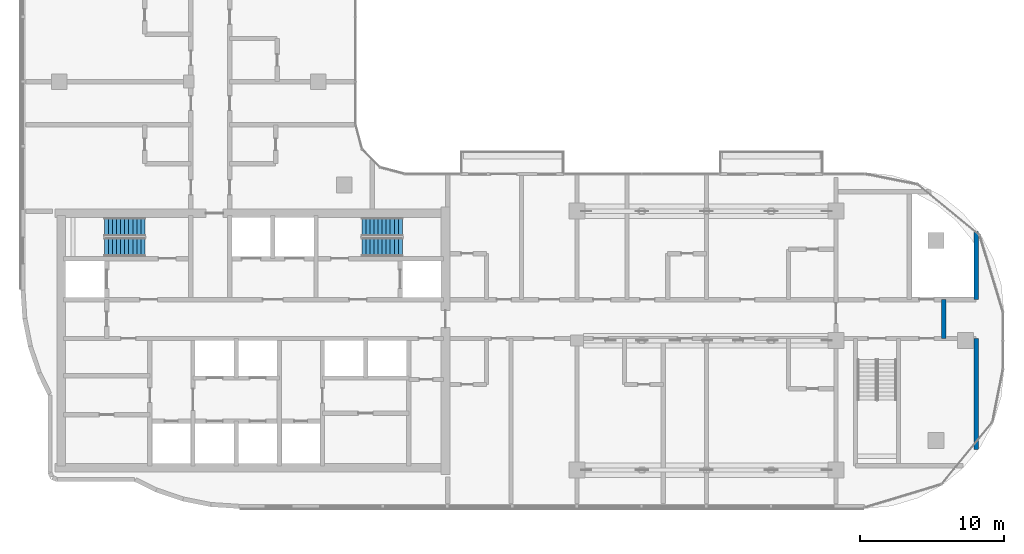
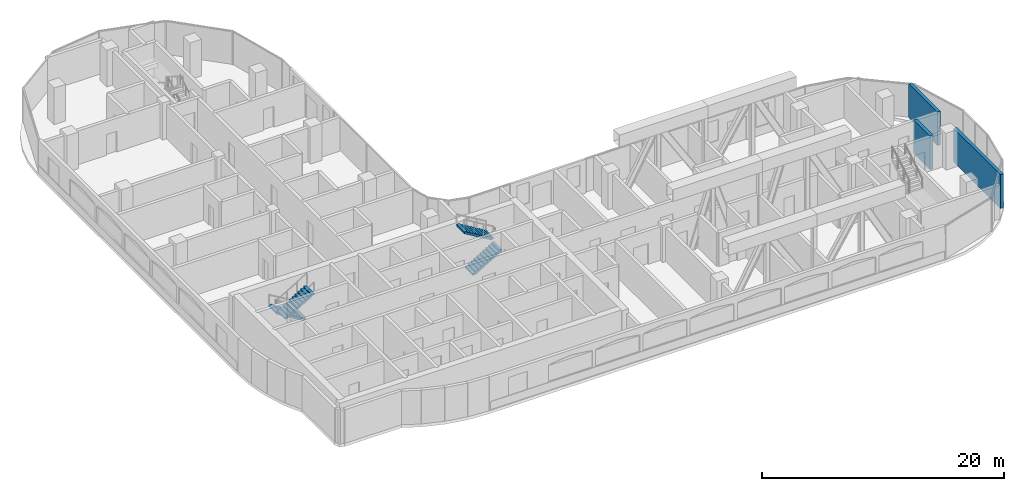
# One storey, part 14 of 25: 4 stair flights, 3 walls, 2 elements without a shape of their own.
"""IFC4 building model written with IfcOpenShell, lengths in metres."""

from ifc_helpers import new_model, si_unit, direction, frame, frame_2d, origin, place, context, subcontext, project, spatial, rectangle, extrude, triangles, source, transform, mapped, material, layer, layer_set, type_object, element, aggregate, save


model = new_model("IFC4")

# Units and contexts
model_context = context("Model", 3, precision=1e-05, world=origin(), true_north=direction((0.0, 1.0)))
body_context = subcontext(model_context, "Body", "Model", "MODEL_VIEW")
ifc_project = project(units=[si_unit("LENGTHUNIT", "METRE"), si_unit("AREAUNIT", "SQUARE_METRE"), si_unit("VOLUMEUNIT", "CUBIC_METRE"), si_unit("PLANEANGLEUNIT", "RADIAN"), si_unit("MASSUNIT", "GRAM", prefix="KILO")], contexts=[model_context])

# Site, building, storey
site_placement = place(None, origin())
site = spatial("IfcSite", under=ifc_project, at=site_placement, CompositionType="ELEMENT")
building_placement = place(site_placement, origin())
building = spatial("IfcBuilding", under=site, at=building_placement, Name="Ogive Portal Towers", CompositionType="ELEMENT")
storey_placement = place(building_placement, frame((0.0, 0.0, 182.89990234375)))
storey = spatial("IfcBuildingStorey", under=building, at=storey_placement, Name="L45", CompositionType="ELEMENT", Elevation=182.89990234375)

# Walls
ifc_material_1 = material(Name="Gypsum board partition on steel studs", Category="steel")
ifc_layer_1 = layer(ifc_material_1, 0.300048828125)
ifc_layer_set_1 = layer_set([ifc_layer_1], Name="WT-PART-300-EI 120")
wall_type_1 = type_object("IfcWallType", Name="WT-PART-300-EI 120", PredefinedType="PARTITIONING", material=ifc_layer_set_1)
wall_1_placement = place(storey_placement, frame((93.0, 30.64990234375, 0.0), z_axis=(0.0, 0.0, 1.0), x_axis=(0.0, 1.0, 0.0)))
element("IfcWall", 1, at=wall_1_placement, inside=storey, type_object=wall_type_1, Name="Wall L45:w066", PredefinedType="PARTITIONING", context=body_context, shape_type="SweptSolid", body=[
    extrude(rectangle(XDim=2.7001953125, YDim=0.300048828125, at=frame_2d((1.35009765625, 0.0))), origin(), (0.0, 0.0, 1.0), 3.400146484375),
])
ifc_layer_2 = layer(ifc_material_1, 0.300048828125)
ifc_layer_set_2 = layer_set([ifc_layer_2], Name="WT-PART-300-EI 60")
wall_type_2 = type_object("IfcWallType", Name="WT-PART-300-EI 60", PredefinedType="PARTITIONING", material=ifc_layer_set_2)
wall_2_placement = place(storey_placement, frame((95.25, 22.926025390625, 0.0), z_axis=(0.0, 0.0, 1.0), x_axis=(0.0, 1.0, 0.0)))
element("IfcWall", 2, at=wall_2_placement, inside=storey, type_object=wall_type_2, Name="Wall L45:w067", PredefinedType="PARTITIONING", context=body_context, shape_type="SweptSolid", body=[
    extrude(rectangle(XDim=7.723876953125, YDim=0.300048828125, at=frame_2d((3.86181640625, 0.0))), origin(), (0.0, 0.0, 1.0), 3.400146484375),
])
wall_3_placement = place(storey_placement, frame((95.25, 33.35009765625, 0.0), z_axis=(0.0, 0.0, 1.0), x_axis=(0.0, 1.0, 0.0)))
element("IfcWall", 3, at=wall_3_placement, inside=storey, type_object=wall_type_2, Name="Wall L45:w068", PredefinedType="PARTITIONING", context=body_context, shape_type="SweptSolid", body=[
    extrude(rectangle(XDim=4.723876953125, YDim=0.300048828125, at=frame_2d((2.36181640625, 0.0))), origin(), (0.0, 0.0, 1.0), 3.400146484375),
])

# Stair, stair flights
ifc_material_2 = material(Name="Concrete C40/50", Category="concrete")
stair_type = type_object("IfcStairType", Name="INT-STAIR", PredefinedType="HALF_TURN_STAIR", material=ifc_material_2)
stair_1_placement = place(storey_placement, origin())
stair_1 = element("IfcStair", 4, at=stair_1_placement, inside=storey, type_object=stair_type, Name="L45 Exit Stair ST-A1", PredefinedType="HALF_TURN_STAIR")
stair_flight_type = type_object("IfcStairFlightType", Name="INT-FLIGHT", PredefinedType="STRAIGHT", material=ifc_material_2)
shared_shape = source(origin(), body_context, "Body", "Tessellation", [
    triangles([(0.0, -0.650146484375, 0.0), (0.0, -0.376220703125, 0.0), (0.0, -0.192626953125, 0.0), (0.0, -0.081298828125, 0.0), (0.0, -0.024169921875, 0.0), (0.0, -0.003173828125, 0.0), (0.0, 0.0, 0.0), (0.0, 0.0029296875, 0.0), (0.0, 0.02392578125, 0.0), (0.0, 0.0810546875, 0.0), (0.0, 0.1923828125, 0.0), (0.0, 0.3759765625, 0.0), (0.0, 0.64990234375, 0.0), (0.0, -0.650146484375, 0.168212890625), (0.0, -0.376220703125, 0.168212890625), (0.0, -0.192626953125, 0.168212890625), (0.0, -0.081298828125, 0.168212890625), (0.0, -0.024169921875, 0.168212890625), (0.0, -0.003173828125, 0.168212890625), (0.0, 0.0, 0.168212890625), (0.0, 0.0029296875, 0.168212890625), (0.0, 0.02392578125, 0.168212890625), (0.0, 0.0810546875, 0.168212890625), (0.0, 0.1923828125, 0.168212890625), (0.0, 0.3759765625, 0.168212890625), (0.0, 0.64990234375, 0.168212890625), (0.280029296875, -0.650146484375, 0.168212890625), (0.280029296875, -0.376220703125, 0.168212890625), (0.280029296875, -0.192626953125, 0.168212890625), (0.280029296875, -0.081298828125, 0.168212890625), (0.280029296875, -0.024169921875, 0.168212890625), (0.280029296875, -0.003173828125, 0.168212890625), (0.280029296875, 0.0, 0.168212890625), (0.280029296875, 0.0029296875, 0.168212890625), (0.280029296875, 0.02392578125, 0.168212890625), (0.280029296875, 0.0810546875, 0.168212890625), (0.280029296875, 0.1923828125, 0.168212890625), (0.280029296875, 0.3759765625, 0.168212890625), (0.280029296875, 0.64990234375, 0.168212890625), (0.280029296875, -0.650146484375, 0.33642578125), (0.280029296875, -0.376220703125, 0.33642578125), (0.280029296875, -0.192626953125, 0.33642578125), (0.280029296875, -0.081298828125, 0.33642578125), (0.280029296875, -0.024169921875, 0.33642578125), (0.280029296875, -0.003173828125, 0.33642578125), (0.280029296875, 0.0, 0.33642578125), (0.280029296875, 0.0029296875, 0.33642578125), (0.280029296875, 0.02392578125, 0.33642578125), (0.280029296875, 0.0810546875, 0.33642578125), (0.280029296875, 0.1923828125, 0.33642578125), (0.280029296875, 0.3759765625, 0.33642578125), (0.280029296875, 0.64990234375, 0.33642578125), (0.56005859375, -0.650146484375, 0.33642578125), (0.56005859375, -0.376220703125, 0.33642578125), (0.56005859375, -0.192626953125, 0.33642578125), (0.56005859375, -0.081298828125, 0.33642578125), (0.56005859375, -0.024169921875, 0.33642578125), (0.56005859375, -0.003173828125, 0.33642578125), (0.56005859375, 0.0, 0.33642578125), (0.56005859375, 0.0029296875, 0.33642578125), (0.56005859375, 0.02392578125, 0.33642578125), (0.56005859375, 0.0810546875, 0.33642578125), (0.56005859375, 0.1923828125, 0.33642578125), (0.56005859375, 0.3759765625, 0.33642578125), (0.56005859375, 0.64990234375, 0.33642578125), (0.56005859375, -0.650146484375, 0.504638671875), (0.56005859375, -0.376220703125, 0.504638671875), (0.56005859375, -0.192626953125, 0.504638671875), (0.56005859375, -0.081298828125, 0.504638671875), (0.56005859375, -0.024169921875, 0.504638671875), (0.56005859375, -0.003173828125, 0.504638671875), (0.56005859375, 0.0, 0.504638671875), (0.56005859375, 0.0029296875, 0.504638671875), (0.56005859375, 0.02392578125, 0.504638671875), (0.56005859375, 0.0810546875, 0.504638671875), (0.56005859375, 0.1923828125, 0.504638671875), (0.56005859375, 0.3759765625, 0.504638671875), (0.56005859375, 0.64990234375, 0.504638671875), (0.840087890625, -0.650146484375, 0.504638671875), (0.840087890625, -0.376220703125, 0.504638671875), (0.840087890625, -0.192626953125, 0.504638671875), (0.840087890625, -0.081298828125, 0.504638671875), (0.840087890625, -0.024169921875, 0.504638671875), (0.840087890625, -0.003173828125, 0.504638671875), (0.840087890625, 0.0, 0.504638671875), (0.840087890625, 0.0029296875, 0.504638671875), (0.840087890625, 0.02392578125, 0.504638671875), (0.840087890625, 0.0810546875, 0.504638671875), (0.840087890625, 0.1923828125, 0.504638671875), (0.840087890625, 0.3759765625, 0.504638671875), (0.840087890625, 0.64990234375, 0.504638671875), (0.840087890625, -0.650146484375, 0.672607421875), (0.840087890625, -0.376220703125, 0.672607421875), (0.840087890625, -0.192626953125, 0.672607421875), (0.840087890625, -0.081298828125, 0.672607421875), (0.840087890625, -0.024169921875, 0.672607421875), (0.840087890625, -0.003173828125, 0.672607421875), (0.840087890625, 0.0, 0.672607421875), (0.840087890625, 0.0029296875, 0.672607421875), (0.840087890625, 0.02392578125, 0.672607421875), (0.840087890625, 0.0810546875, 0.672607421875), (0.840087890625, 0.1923828125, 0.672607421875), (0.840087890625, 0.3759765625, 0.672607421875), (0.840087890625, 0.64990234375, 0.672607421875), (1.1201171875, -0.650146484375, 0.672607421875), (1.1201171875, -0.376220703125, 0.672607421875), (1.1201171875, -0.192626953125, 0.672607421875), (1.1201171875, -0.081298828125, 0.672607421875), (1.1201171875, -0.024169921875, 0.672607421875), (1.1201171875, -0.003173828125, 0.672607421875), (1.1201171875, 0.0, 0.672607421875), (1.1201171875, 0.0029296875, 0.672607421875), (1.1201171875, 0.02392578125, 0.672607421875), (1.1201171875, 0.0810546875, 0.672607421875), (1.1201171875, 0.1923828125, 0.672607421875), (1.1201171875, 0.3759765625, 0.672607421875), (1.1201171875, 0.64990234375, 0.672607421875), (1.1201171875, -0.650146484375, 0.8408203125), (1.1201171875, -0.376220703125, 0.8408203125), (1.1201171875, -0.192626953125, 0.8408203125), (1.1201171875, -0.081298828125, 0.8408203125), (1.1201171875, -0.024169921875, 0.8408203125), (1.1201171875, -0.003173828125, 0.8408203125), (1.1201171875, 0.0, 0.8408203125), (1.1201171875, 0.0029296875, 0.8408203125), (1.1201171875, 0.02392578125, 0.8408203125), (1.1201171875, 0.0810546875, 0.8408203125), (1.1201171875, 0.1923828125, 0.8408203125), (1.1201171875, 0.3759765625, 0.8408203125), (1.1201171875, 0.64990234375, 0.8408203125), (1.39990234375, -0.650146484375, 0.8408203125), (1.39990234375, -0.376220703125, 0.8408203125), (1.39990234375, -0.192626953125, 0.8408203125), (1.39990234375, -0.081298828125, 0.8408203125), (1.39990234375, -0.024169921875, 0.8408203125), (1.39990234375, -0.003173828125, 0.8408203125), (1.39990234375, 0.0, 0.8408203125), (1.39990234375, 0.0029296875, 0.8408203125), (1.39990234375, 0.02392578125, 0.8408203125), (1.39990234375, 0.0810546875, 0.8408203125), (1.39990234375, 0.1923828125, 0.8408203125), (1.39990234375, 0.3759765625, 0.8408203125), (1.39990234375, 0.64990234375, 0.8408203125), (1.39990234375, -0.650146484375, 1.009033203125), (1.39990234375, -0.376220703125, 1.009033203125), (1.39990234375, -0.192626953125, 1.009033203125), (1.39990234375, -0.081298828125, 1.009033203125), (1.39990234375, -0.024169921875, 1.009033203125), (1.39990234375, -0.003173828125, 1.009033203125), (1.39990234375, 0.0, 1.009033203125), (1.39990234375, 0.0029296875, 1.009033203125), (1.39990234375, 0.02392578125, 1.009033203125), (1.39990234375, 0.0810546875, 1.009033203125), (1.39990234375, 0.1923828125, 1.009033203125), (1.39990234375, 0.3759765625, 1.009033203125), (1.39990234375, 0.64990234375, 1.009033203125), (1.679931640625, -0.650146484375, 1.009033203125), (1.679931640625, -0.376220703125, 1.009033203125), (1.679931640625, -0.192626953125, 1.009033203125), (1.679931640625, -0.081298828125, 1.009033203125), (1.679931640625, -0.024169921875, 1.009033203125), (1.679931640625, -0.003173828125, 1.009033203125), (1.679931640625, 0.0, 1.009033203125), (1.679931640625, 0.0029296875, 1.009033203125), (1.679931640625, 0.02392578125, 1.009033203125), (1.679931640625, 0.0810546875, 1.009033203125), (1.679931640625, 0.1923828125, 1.009033203125), (1.679931640625, 0.3759765625, 1.009033203125), (1.679931640625, 0.64990234375, 1.009033203125), (1.679931640625, -0.650146484375, 1.17724609375), (1.679931640625, -0.376220703125, 1.17724609375), (1.679931640625, -0.192626953125, 1.17724609375), (1.679931640625, -0.081298828125, 1.17724609375), (1.679931640625, -0.024169921875, 1.17724609375), (1.679931640625, -0.003173828125, 1.17724609375), (1.679931640625, 0.0, 1.17724609375), (1.679931640625, 0.0029296875, 1.17724609375), (1.679931640625, 0.02392578125, 1.17724609375), (1.679931640625, 0.0810546875, 1.17724609375), (1.679931640625, 0.1923828125, 1.17724609375), (1.679931640625, 0.3759765625, 1.17724609375), (1.679931640625, 0.64990234375, 1.17724609375), (1.9599609375, -0.650146484375, 1.17724609375), (1.9599609375, -0.376220703125, 1.17724609375), (1.9599609375, -0.192626953125, 1.17724609375), (1.9599609375, -0.081298828125, 1.17724609375), (1.9599609375, -0.024169921875, 1.17724609375), (1.9599609375, -0.003173828125, 1.17724609375), (1.9599609375, 0.0, 1.17724609375), (1.9599609375, 0.0029296875, 1.17724609375), (1.9599609375, 0.02392578125, 1.17724609375), (1.9599609375, 0.0810546875, 1.17724609375), (1.9599609375, 0.1923828125, 1.17724609375), (1.9599609375, 0.3759765625, 1.17724609375), (1.9599609375, 0.64990234375, 1.17724609375), (1.9599609375, -0.650146484375, 1.345458984375), (1.9599609375, -0.376220703125, 1.345458984375), (1.9599609375, -0.192626953125, 1.345458984375), (1.9599609375, -0.081298828125, 1.345458984375), (1.9599609375, -0.024169921875, 1.345458984375), (1.9599609375, -0.003173828125, 1.345458984375), (1.9599609375, 0.0, 1.345458984375), (1.9599609375, 0.0029296875, 1.345458984375), (1.9599609375, 0.02392578125, 1.345458984375), (1.9599609375, 0.0810546875, 1.345458984375), (1.9599609375, 0.1923828125, 1.345458984375), (1.9599609375, 0.3759765625, 1.345458984375), (1.9599609375, 0.64990234375, 1.345458984375), (2.239990234375, -0.650146484375, 1.345458984375), (2.239990234375, -0.376220703125, 1.345458984375), (2.239990234375, -0.192626953125, 1.345458984375), (2.239990234375, -0.081298828125, 1.345458984375), (2.239990234375, -0.024169921875, 1.345458984375), (2.239990234375, -0.003173828125, 1.345458984375), (2.239990234375, 0.0, 1.345458984375), (2.239990234375, 0.0029296875, 1.345458984375), (2.239990234375, 0.02392578125, 1.345458984375), (2.239990234375, 0.0810546875, 1.345458984375), (2.239990234375, 0.1923828125, 1.345458984375), (2.239990234375, 0.3759765625, 1.345458984375), (2.239990234375, 0.64990234375, 1.345458984375), (2.239990234375, -0.650146484375, 1.513671875), (2.239990234375, -0.376220703125, 1.513671875), (2.239990234375, -0.192626953125, 1.513671875), (2.239990234375, -0.081298828125, 1.513671875), (2.239990234375, -0.024169921875, 1.513671875), (2.239990234375, -0.003173828125, 1.513671875), (2.239990234375, 0.0, 1.513671875), (2.239990234375, 0.0029296875, 1.513671875), (2.239990234375, 0.02392578125, 1.513671875), (2.239990234375, 0.0810546875, 1.513671875), (2.239990234375, 0.1923828125, 1.513671875), (2.239990234375, 0.3759765625, 1.513671875), (2.239990234375, 0.64990234375, 1.513671875), (2.52001953125, -0.650146484375, 1.513671875), (2.52001953125, -0.376220703125, 1.513671875), (2.52001953125, -0.192626953125, 1.513671875), (2.52001953125, -0.081298828125, 1.513671875), (2.52001953125, -0.024169921875, 1.513671875), (2.52001953125, -0.003173828125, 1.513671875), (2.52001953125, 0.0, 1.513671875), (2.52001953125, 0.0029296875, 1.513671875), (2.52001953125, 0.02392578125, 1.513671875), (2.52001953125, 0.0810546875, 1.513671875), (2.52001953125, 0.1923828125, 1.513671875), (2.52001953125, 0.3759765625, 1.513671875), (2.52001953125, 0.64990234375, 1.513671875), (2.52001953125, -0.650146484375, 1.681884765625), (2.52001953125, -0.376220703125, 1.681884765625), (2.52001953125, -0.192626953125, 1.681884765625), (2.52001953125, -0.081298828125, 1.681884765625), (2.52001953125, -0.024169921875, 1.681884765625), (2.52001953125, -0.003173828125, 1.681884765625), (2.52001953125, 0.0, 1.681884765625), (2.52001953125, 0.0029296875, 1.681884765625), (2.52001953125, 0.02392578125, 1.681884765625), (2.52001953125, 0.0810546875, 1.681884765625), (2.52001953125, 0.1923828125, 1.681884765625), (2.52001953125, 0.3759765625, 1.681884765625), (2.52001953125, 0.64990234375, 1.681884765625), (2.800048828125, -0.650146484375, 1.681884765625), (2.800048828125, -0.376220703125, 1.681884765625), (2.800048828125, -0.192626953125, 1.681884765625), (2.800048828125, -0.081298828125, 1.681884765625), (2.800048828125, -0.024169921875, 1.681884765625), (2.800048828125, -0.003173828125, 1.681884765625), (2.800048828125, 0.0, 1.681884765625), (2.800048828125, 0.0029296875, 1.681884765625), (2.800048828125, 0.02392578125, 1.681884765625), (2.800048828125, 0.0810546875, 1.681884765625), (2.800048828125, 0.1923828125, 1.681884765625), (2.800048828125, 0.3759765625, 1.681884765625), (2.800048828125, 0.64990234375, 1.681884765625), (2.800048828125, -0.650146484375, 1.5068359375), (2.800048828125, -0.376220703125, 1.5068359375), (2.800048828125, -0.192626953125, 1.5068359375), (2.800048828125, -0.081298828125, 1.5068359375), (2.800048828125, -0.024169921875, 1.5068359375), (2.800048828125, -0.003173828125, 1.5068359375), (2.800048828125, 0.0, 1.5068359375), (2.800048828125, 0.0029296875, 1.5068359375), (2.800048828125, 0.02392578125, 1.5068359375), (2.800048828125, 0.0810546875, 1.5068359375), (2.800048828125, 0.1923828125, 1.5068359375), (2.800048828125, 0.3759765625, 1.5068359375), (2.800048828125, 0.64990234375, 1.5068359375), (0.291015625, -0.650146484375, 0.0), (0.291015625, -0.376220703125, 0.0), (0.291015625, -0.192626953125, 0.0), (0.291015625, -0.081298828125, 0.0), (0.291015625, -0.024169921875, 0.0), (0.291015625, -0.003173828125, 0.0), (0.291015625, 0.0, 0.0), (0.291015625, 0.0029296875, 0.0), (0.291015625, 0.02392578125, 0.0), (0.291015625, 0.0810546875, 0.0), (0.291015625, 0.1923828125, 0.0), (0.291015625, 0.3759765625, 0.0), (0.291015625, 0.64990234375, 0.0)], [[1, 14, 15], [1, 15, 2], [2, 15, 16], [2, 16, 3], [3, 16, 17], [3, 17, 4], [4, 17, 18], [4, 18, 5], [5, 18, 19], [5, 19, 6], [6, 19, 20], [6, 20, 7], [7, 20, 21], [7, 21, 8], [8, 21, 22], [8, 22, 9], [9, 22, 23], [9, 23, 10], [10, 23, 24], [10, 24, 11], [11, 24, 25], [11, 25, 12], [12, 25, 26], [12, 26, 13], [14, 27, 28], [14, 28, 15], [15, 28, 29], [15, 29, 16], [16, 29, 30], [16, 30, 17], [17, 30, 31], [17, 31, 18], [18, 31, 32], [18, 32, 19], [19, 32, 33], [19, 33, 20], [20, 33, 34], [20, 34, 21], [21, 34, 35], [21, 35, 22], [22, 35, 36], [22, 36, 23], [23, 36, 37], [23, 37, 24], [24, 37, 38], [24, 38, 25], [25, 38, 39], [25, 39, 26], [27, 40, 41], [27, 41, 28], [28, 41, 42], [28, 42, 29], [29, 42, 43], [29, 43, 30], [30, 43, 44], [30, 44, 31], [31, 44, 45], [31, 45, 32], [32, 45, 46], [32, 46, 33], [33, 46, 47], [33, 47, 34], [34, 47, 48], [34, 48, 35], [35, 48, 49], [35, 49, 36], [36, 49, 50], [36, 50, 37], [37, 50, 51], [37, 51, 38], [38, 51, 52], [38, 52, 39], [40, 53, 54], [40, 54, 41], [41, 54, 55], [41, 55, 42], [42, 55, 56], [42, 56, 43], [43, 56, 57], [43, 57, 44], [44, 57, 58], [44, 58, 45], [45, 58, 59], [45, 59, 46], [46, 59, 60], [46, 60, 47], [47, 60, 61], [47, 61, 48], [48, 61, 62], [48, 62, 49], [49, 62, 63], [49, 63, 50], [50, 63, 64], [50, 64, 51], [51, 64, 65], [51, 65, 52], [53, 66, 67], [53, 67, 54], [54, 67, 68], [54, 68, 55], [55, 68, 69], [55, 69, 56], [56, 69, 70], [56, 70, 57], [57, 70, 71], [57, 71, 58], [58, 71, 72], [58, 72, 59], [59, 72, 73], [59, 73, 60], [60, 73, 74], [60, 74, 61], [61, 74, 75], [61, 75, 62], [62, 75, 76], [62, 76, 63], [63, 76, 77], [63, 77, 64], [64, 77, 78], [64, 78, 65], [66, 79, 80], [66, 80, 67], [67, 80, 81], [67, 81, 68], [68, 81, 82], [68, 82, 69], [69, 82, 83], [69, 83, 70], [70, 83, 84], [70, 84, 71], [71, 84, 85], [71, 85, 72], [72, 85, 86], [72, 86, 73], [73, 86, 87], [73, 87, 74], [74, 87, 88], [74, 88, 75], [75, 88, 89], [75, 89, 76], [76, 89, 90], [76, 90, 77], [77, 90, 91], [77, 91, 78], [79, 92, 93], [79, 93, 80], [80, 93, 94], [80, 94, 81], [81, 94, 95], [81, 95, 82], [82, 95, 96], [82, 96, 83], [83, 96, 97], [83, 97, 84], [84, 97, 98], [84, 98, 85], [85, 98, 99], [85, 99, 86], [86, 99, 100], [86, 100, 87], [87, 100, 101], [87, 101, 88], [88, 101, 102], [88, 102, 89], [89, 102, 103], [89, 103, 90], [90, 103, 104], [90, 104, 91], [92, 105, 106], [92, 106, 93], [93, 106, 107], [93, 107, 94], [94, 107, 108], [94, 108, 95], [95, 108, 109], [95, 109, 96], [96, 109, 110], [96, 110, 97], [97, 110, 111], [97, 111, 98], [98, 111, 112], [98, 112, 99], [99, 112, 113], [99, 113, 100], [100, 113, 114], [100, 114, 101], [101, 114, 115], [101, 115, 102], [102, 115, 116], [102, 116, 103], [103, 116, 117], [103, 117, 104], [105, 118, 119], [105, 119, 106], [106, 119, 120], [106, 120, 107], [107, 120, 121], [107, 121, 108], [108, 121, 122], [108, 122, 109], [109, 122, 123], [109, 123, 110], [110, 123, 124], [110, 124, 111], [111, 124, 125], [111, 125, 112], [112, 125, 126], [112, 126, 113], [113, 126, 127], [113, 127, 114], [114, 127, 128], [114, 128, 115], [115, 128, 129], [115, 129, 116], [116, 129, 130], [116, 130, 117], [118, 131, 132], [118, 132, 119], [119, 132, 133], [119, 133, 120], [120, 133, 134], [120, 134, 121], [121, 134, 135], [121, 135, 122], [122, 135, 136], [122, 136, 123], [123, 136, 137], [123, 137, 124], [124, 137, 138], [124, 138, 125], [125, 138, 139], [125, 139, 126], [126, 139, 140], [126, 140, 127], [127, 140, 141], [127, 141, 128], [128, 141, 142], [128, 142, 129], [129, 142, 143], [129, 143, 130], [131, 144, 145], [131, 145, 132], [132, 145, 146], [132, 146, 133], [133, 146, 147], [133, 147, 134], [134, 147, 148], [134, 148, 135], [135, 148, 149], [135, 149, 136], [136, 149, 150], [136, 150, 137], [137, 150, 151], [137, 151, 138], [138, 151, 152], [138, 152, 139], [139, 152, 153], [139, 153, 140], [140, 153, 154], [140, 154, 141], [141, 154, 155], [141, 155, 142], [142, 155, 156], [142, 156, 143], [144, 157, 158], [144, 158, 145], [145, 158, 159], [145, 159, 146], [146, 159, 160], [146, 160, 147], [147, 160, 161], [147, 161, 148], [148, 161, 162], [148, 162, 149], [149, 162, 163], [149, 163, 150], [150, 163, 164], [150, 164, 151], [151, 164, 165], [151, 165, 152], [152, 165, 166], [152, 166, 153], [153, 166, 167], [153, 167, 154], [154, 167, 168], [154, 168, 155], [155, 168, 169], [155, 169, 156], [157, 170, 171], [157, 171, 158], [158, 171, 172], [158, 172, 159], [159, 172, 173], [159, 173, 160], [160, 173, 174], [160, 174, 161], [161, 174, 175], [161, 175, 162], [162, 175, 176], [162, 176, 163], [163, 176, 177], [163, 177, 164], [164, 177, 178], [164, 178, 165], [165, 178, 179], [165, 179, 166], [166, 179, 180], [166, 180, 167], [167, 180, 181], [167, 181, 168], [168, 181, 182], [168, 182, 169], [170, 183, 184], [170, 184, 171], [171, 184, 185], [171, 185, 172], [172, 185, 186], [172, 186, 173], [173, 186, 187], [173, 187, 174], [174, 187, 188], [174, 188, 175], [175, 188, 189], [175, 189, 176], [176, 189, 190], [176, 190, 177], [177, 190, 191], [177, 191, 178], [178, 191, 192], [178, 192, 179], [179, 192, 193], [179, 193, 180], [180, 193, 194], [180, 194, 181], [181, 194, 195], [181, 195, 182], [183, 196, 197], [183, 197, 184], [184, 197, 198], [184, 198, 185], [185, 198, 199], [185, 199, 186], [186, 199, 200], [186, 200, 187], [187, 200, 201], [187, 201, 188], [188, 201, 202], [188, 202, 189], [189, 202, 203], [189, 203, 190], [190, 203, 204], [190, 204, 191], [191, 204, 205], [191, 205, 192], [192, 205, 206], [192, 206, 193], [193, 206, 207], [193, 207, 194], [194, 207, 208], [194, 208, 195], [196, 209, 210], [196, 210, 197], [197, 210, 211], [197, 211, 198], [198, 211, 212], [198, 212, 199], [199, 212, 213], [199, 213, 200], [200, 213, 214], [200, 214, 201], [201, 214, 215], [201, 215, 202], [202, 215, 216], [202, 216, 203], [203, 216, 217], [203, 217, 204], [204, 217, 218], [204, 218, 205], [205, 218, 219], [205, 219, 206], [206, 219, 220], [206, 220, 207], [207, 220, 221], [207, 221, 208], [209, 222, 223], [209, 223, 210], [210, 223, 224], [210, 224, 211], [211, 224, 225], [211, 225, 212], [212, 225, 226], [212, 226, 213], [213, 226, 227], [213, 227, 214], [214, 227, 228], [214, 228, 215], [215, 228, 229], [215, 229, 216], [216, 229, 230], [216, 230, 217], [217, 230, 231], [217, 231, 218], [218, 231, 232], [218, 232, 219], [219, 232, 233], [219, 233, 220], [220, 233, 234], [220, 234, 221], [222, 235, 236], [222, 236, 223], [223, 236, 237], [223, 237, 224], [224, 237, 238], [224, 238, 225], [225, 238, 239], [225, 239, 226], [226, 239, 240], [226, 240, 227], [227, 240, 241], [227, 241, 228], [228, 241, 242], [228, 242, 229], [229, 242, 243], [229, 243, 230], [230, 243, 244], [230, 244, 231], [231, 244, 245], [231, 245, 232], [232, 245, 246], [232, 246, 233], [233, 246, 247], [233, 247, 234], [235, 248, 249], [235, 249, 236], [236, 249, 250], [236, 250, 237], [237, 250, 251], [237, 251, 238], [238, 251, 252], [238, 252, 239], [239, 252, 253], [239, 253, 240], [240, 253, 254], [240, 254, 241], [241, 254, 255], [241, 255, 242], [242, 255, 256], [242, 256, 243], [243, 256, 257], [243, 257, 244], [244, 257, 258], [244, 258, 245], [245, 258, 259], [245, 259, 246], [246, 259, 260], [246, 260, 247], [248, 261, 262], [248, 262, 249], [249, 262, 263], [249, 263, 250], [250, 263, 264], [250, 264, 251], [251, 264, 265], [251, 265, 252], [252, 265, 266], [252, 266, 253], [253, 266, 267], [253, 267, 254], [254, 267, 268], [254, 268, 255], [255, 268, 269], [255, 269, 256], [256, 269, 270], [256, 270, 257], [257, 270, 271], [257, 271, 258], [258, 271, 272], [258, 272, 259], [259, 272, 273], [259, 273, 260], [261, 274, 275], [261, 275, 262], [262, 275, 276], [262, 276, 263], [263, 276, 277], [263, 277, 264], [264, 277, 278], [264, 278, 265], [265, 278, 279], [265, 279, 266], [266, 279, 280], [266, 280, 267], [267, 280, 281], [267, 281, 268], [268, 281, 282], [268, 282, 269], [269, 282, 283], [269, 283, 270], [270, 283, 284], [270, 284, 271], [271, 284, 285], [271, 285, 272], [272, 285, 286], [272, 286, 273], [274, 287, 288], [274, 288, 275], [275, 288, 289], [275, 289, 276], [276, 289, 290], [276, 290, 277], [277, 290, 291], [277, 291, 278], [278, 291, 292], [278, 292, 279], [279, 292, 293], [279, 293, 280], [280, 293, 294], [280, 294, 281], [281, 294, 295], [281, 295, 282], [282, 295, 296], [282, 296, 283], [283, 296, 297], [283, 297, 284], [284, 297, 298], [284, 298, 285], [285, 298, 299], [285, 299, 286], [287, 1, 2], [287, 2, 288], [288, 2, 3], [288, 3, 289], [289, 3, 4], [289, 4, 290], [290, 4, 5], [290, 5, 291], [291, 5, 6], [291, 6, 292], [292, 6, 7], [292, 7, 293], [293, 7, 8], [293, 8, 294], [294, 8, 9], [294, 9, 295], [295, 9, 10], [295, 10, 296], [296, 10, 11], [296, 11, 297], [297, 11, 12], [297, 12, 298], [298, 12, 13], [298, 13, 299], [1, 287, 274], [13, 286, 299], [274, 261, 248], [286, 260, 273], [274, 248, 235], [286, 247, 260], [274, 235, 222], [286, 234, 247], [274, 222, 209], [286, 221, 234], [209, 196, 183], [221, 195, 208], [274, 209, 183], [286, 195, 221], [183, 170, 157], [195, 169, 182], [274, 183, 157], [286, 169, 195], [157, 144, 131], [169, 143, 156], [274, 157, 131], [286, 143, 169], [131, 118, 105], [143, 117, 130], [274, 131, 105], [286, 117, 143], [1, 274, 105], [13, 117, 286], [105, 92, 79], [117, 91, 104], [79, 66, 53], [91, 65, 78], [105, 79, 53], [117, 65, 91], [53, 40, 27], [65, 39, 52], [105, 53, 27], [117, 39, 65], [1, 105, 27], [13, 39, 117], [27, 14, 1], [39, 13, 26]], closed=True),
])
stair_flight_1_placement = place(storey_placement, frame((37.449951171875, 38.39990234375, 0.0), z_axis=(0.0, 0.0, 1.0), x_axis=(-1.0, 0.0, 0.0)))
stair_flight_1 = element("IfcStairFlight", 5, at=stair_flight_1_placement, type_object=stair_flight_type, Name="ST-A1 flight 1", NumberOfRisers=11, NumberOfTreads=10, PredefinedType="STRAIGHT", RiserHeight=0.168181818, TreadLength=0.28, context=body_context, shape_type="MappedRepresentation", body=[
    mapped(shared_shape, transform((0.0, 0.0, 0.0), scale=1.0)),
])
stair_flight_2_placement = place(storey_placement, frame((34.64990234375, 37.0, 1.85009765625), z_axis=(0.0, 0.0, 1.0), x_axis=(1.0, 0.0, 0.0)))
stair_flight_2 = element("IfcStairFlight", 6, at=stair_flight_2_placement, type_object=stair_flight_type, Name="ST-A1 flight 2", NumberOfRisers=11, NumberOfTreads=10, PredefinedType="STRAIGHT", RiserHeight=0.168181818, TreadLength=0.28, context=body_context, shape_type="MappedRepresentation", body=[
    mapped(shared_shape, transform((0.0, 0.0, 0.0), scale=1.0)),
])
aggregate(stair_1, [stair_flight_1, stair_flight_2])

stair_2_placement = place(storey_placement, origin())
stair_2 = element("IfcStair", 7, at=stair_2_placement, inside=storey, type_object=stair_type, Name="L45 Exit Stair ST-A2", PredefinedType="HALF_TURN_STAIR")
stair_flight_3_placement = place(storey_placement, frame((52.550048828125, 37.0, 0.0), z_axis=(0.0, 0.0, 1.0), x_axis=(1.0, 0.0, 0.0)))
stair_flight_3 = element("IfcStairFlight", 8, at=stair_flight_3_placement, type_object=stair_flight_type, Name="ST-A2 flight 1", NumberOfRisers=11, NumberOfTreads=10, PredefinedType="STRAIGHT", RiserHeight=0.168181818, TreadLength=0.28, context=body_context, shape_type="MappedRepresentation", body=[
    mapped(shared_shape, transform((0.0, 0.0, 0.0), scale=1.0)),
])
stair_flight_4_placement = place(storey_placement, frame((55.35009765625, 38.39990234375, 1.85009765625), z_axis=(0.0, 0.0, 1.0), x_axis=(-1.0, 0.0, 0.0)))
stair_flight_4 = element("IfcStairFlight", 9, at=stair_flight_4_placement, type_object=stair_flight_type, Name="ST-A2 flight 2", NumberOfRisers=11, NumberOfTreads=10, PredefinedType="STRAIGHT", RiserHeight=0.168181818, TreadLength=0.28, context=body_context, shape_type="MappedRepresentation", body=[
    mapped(shared_shape, transform((0.0, 0.0, 0.0), scale=1.0)),
])
aggregate(stair_2, [stair_flight_3, stair_flight_4])

save(model, "model.ifc")
